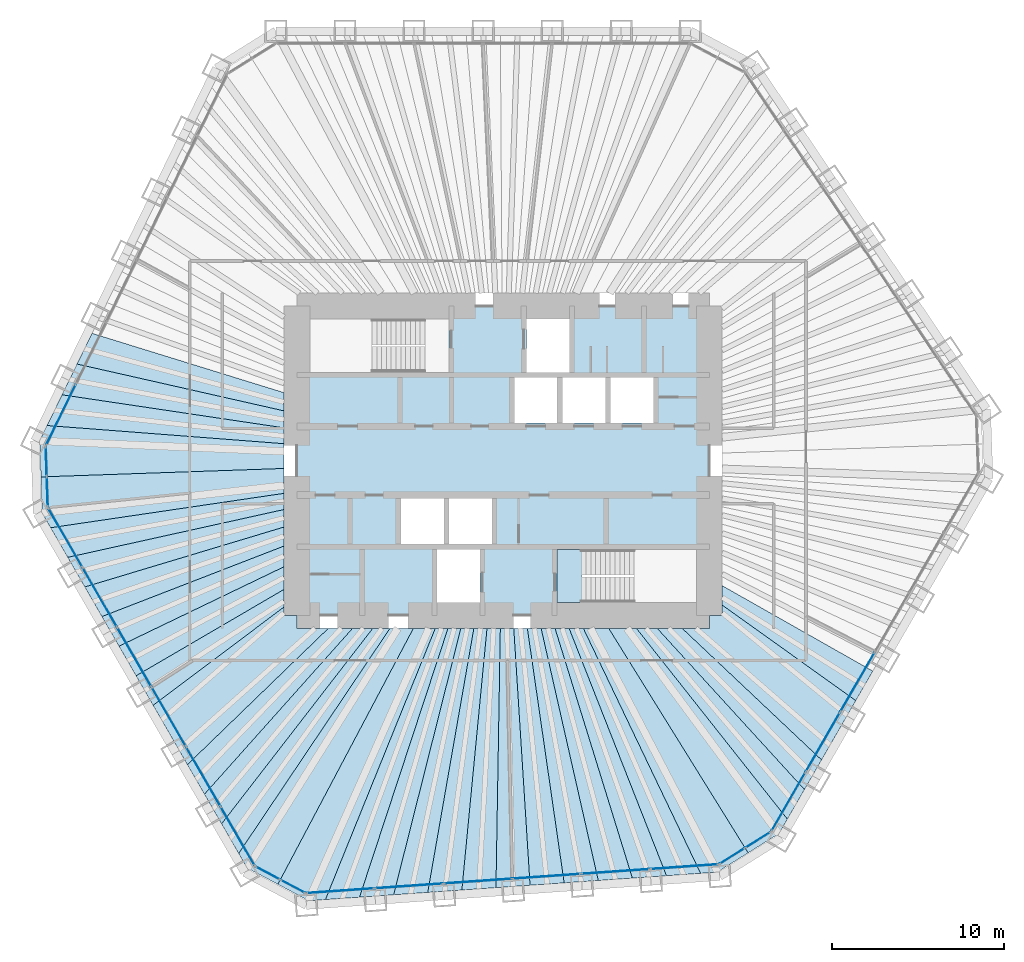
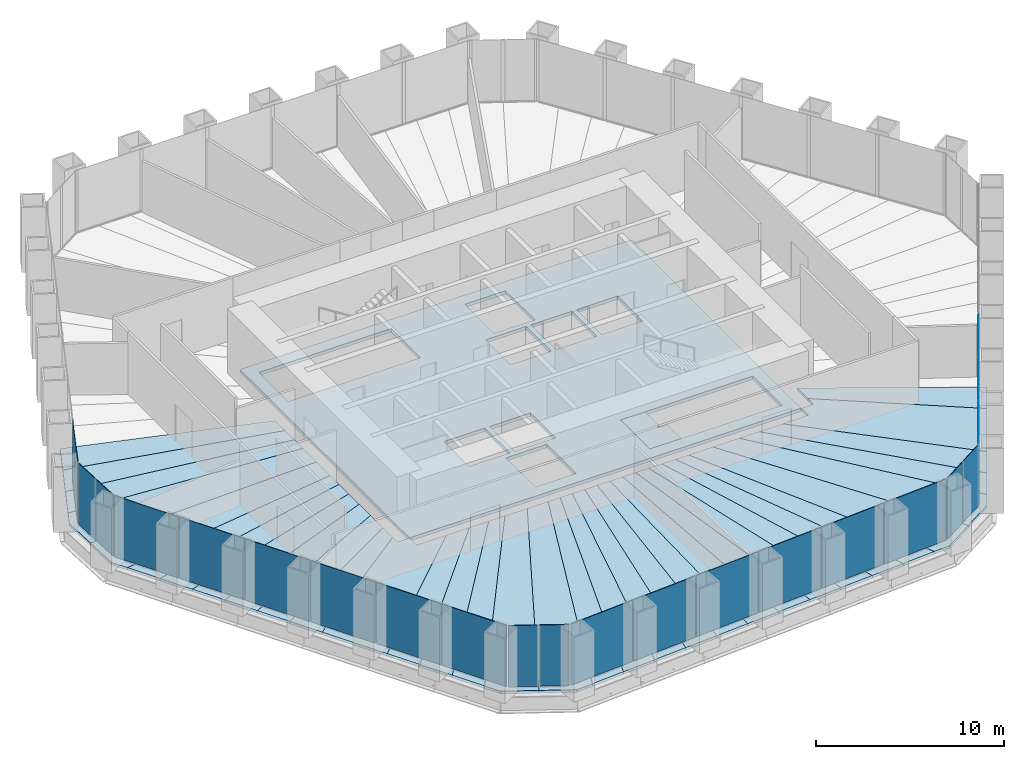
# One storey, part 8 of 13: 36 slabs, 22 plates, 8 elements without a shape of their own.
"""IFC4 building model written with IfcOpenShell, lengths in metres."""

from ifc_helpers import new_model, si_unit, direction, frame, origin, origin_2d, place, context, subcontext, project, spatial, polyline, rectangle, outline, extrude, material, layer, layer_set, type_object, element, aggregate, save


model = new_model("IFC4")

# Units and contexts
model_context = context("Model", 3, precision=1e-05, world=origin(), true_north=direction((0.0, 1.0)))
body_context = subcontext(model_context, "Body", "Model", "MODEL_VIEW")
ifc_project = project(units=[si_unit("LENGTHUNIT", "METRE"), si_unit("AREAUNIT", "SQUARE_METRE"), si_unit("VOLUMEUNIT", "CUBIC_METRE"), si_unit("PLANEANGLEUNIT", "RADIAN"), si_unit("MASSUNIT", "GRAM", prefix="KILO")], contexts=[model_context])

# Site, building, storey
site_placement = place(None, origin())
site = spatial("IfcSite", under=ifc_project, at=site_placement, CompositionType="ELEMENT")
building_placement = place(site_placement, origin())
building = spatial("IfcBuilding", under=site, at=building_placement, Name="Qingtian Harvest Tower", CompositionType="ELEMENT")
storey_placement = place(building_placement, frame((0.0, 0.0, 136.60009765625)))
storey = spatial("IfcBuildingStorey", under=building, at=storey_placement, Name="L28", CompositionType="ELEMENT", Elevation=136.60009765625)

# Slabs
ifc_material_1 = material(Name="Concrete fc' 35 MPa", Category="concrete")
ifc_layer_1 = layer(ifc_material_1, 0.169921875)
ifc_layer_set_1 = layer_set([ifc_layer_1], Name="Composite floor slab FS17 170")
slab_type_1 = type_object("IfcSlabType", Name="Composite floor slab FS17 170", PredefinedType="FLOOR", material=ifc_layer_set_1)
slab_1_placement = place(storey_placement, frame((0.0, 0.0, -0.170166015625)))
element("IfcSlab", 1, at=slab_1_placement, inside=storey, type_object=slab_type_1, Name="Floor slab L28 panel D01", PredefinedType="FLOOR", context=body_context, shape_type="SweptSolid", body=[
    extrude(outline(polyline([(-26.8935546875, -0.939208984375), (-12.75, -0.447998046875), (-12.75, -1.89599609375), (-26.333984375, -3.8984375), (-26.819580078125, -3.056884765625), (-26.8935546875, -0.939208984375)])), origin(), (0.0, 0.0, 1.0), 0.170166015625),
])
slab_2_placement = place(storey_placement, frame((0.0, 0.0, -0.170166015625)))
element("IfcSlab", 2, at=slab_2_placement, inside=storey, type_object=slab_type_1, Name="Floor slab L28 panel D02", PredefinedType="FLOOR", context=body_context, shape_type="SweptSolid", body=[
    extrude(outline(polyline([(-12.75, -2.838134765625), (-25.3388671875, -5.62158203125), (-26.333984375, -3.8984375), (-12.75, -1.89599609375), (-12.75, -2.838134765625)])), origin(), (0.0, 0.0, 1.0), 0.170166015625),
])
slab_3_placement = place(storey_placement, frame((0.0, 0.0, -0.170166015625)))
element("IfcSlab", 3, at=slab_3_placement, inside=storey, type_object=slab_type_1, Name="Floor slab L28 panel D03", PredefinedType="FLOOR", context=body_context, shape_type="SweptSolid", body=[
    extrude(outline(polyline([(-12.75, -3.857666015625), (-24.343994140625, -7.344970703125), (-25.3388671875, -5.62158203125), (-12.75, -2.838134765625), (-12.75, -3.857666015625)])), origin(), (0.0, 0.0, 1.0), 0.170166015625),
])
slab_4_placement = place(storey_placement, frame((0.0, 0.0, -0.170166015625)))
element("IfcSlab", 4, at=slab_4_placement, inside=storey, type_object=slab_type_1, Name="Floor slab L28 panel D04", PredefinedType="FLOOR", context=body_context, shape_type="SweptSolid", body=[
    extrude(outline(polyline([(-12.75, -4.9638671875), (-23.34912109375, -9.068115234375), (-24.343994140625, -7.344970703125), (-12.75, -3.857666015625), (-12.75, -4.9638671875)])), origin(), (0.0, 0.0, 1.0), 0.170166015625),
])
slab_5_placement = place(storey_placement, frame((0.0, 0.0, -0.170166015625)))
element("IfcSlab", 5, at=slab_5_placement, inside=storey, type_object=slab_type_1, Name="Floor slab L28 panel D05", PredefinedType="FLOOR", context=body_context, shape_type="SweptSolid", body=[
    extrude(outline(polyline([(-12.75, -6.1689453125), (-22.354248046875, -10.79150390625), (-23.34912109375, -9.068115234375), (-12.75, -4.9638671875), (-12.75, -6.1689453125)])), origin(), (0.0, 0.0, 1.0), 0.170166015625),
])
slab_6_placement = place(storey_placement, frame((0.0, 0.0, -0.170166015625)))
element("IfcSlab", 6, at=slab_6_placement, inside=storey, type_object=slab_type_1, Name="Floor slab L28 panel D06", PredefinedType="FLOOR", context=body_context, shape_type="SweptSolid", body=[
    extrude(outline(polyline([(-12.75, -7.486328125), (-21.359130859375, -12.5146484375), (-22.354248046875, -10.79150390625), (-12.75, -6.1689453125), (-12.75, -7.486328125)])), origin(), (0.0, 0.0, 1.0), 0.170166015625),
])
slab_7_placement = place(storey_placement, frame((0.0, 0.0, -0.170166015625)))
element("IfcSlab", 7, at=slab_7_placement, inside=storey, type_object=slab_type_1, Name="Floor slab L28 panel D07", PredefinedType="FLOOR", context=body_context, shape_type="SweptSolid", body=[
    extrude(outline(polyline([(-12.75, -8.512451171875), (-20.36865234375, -14.23046875), (-21.359130859375, -12.5146484375), (-12.75, -7.486328125), (-12.75, -8.512451171875)])), origin(), (0.0, 0.0, 1.0), 0.170166015625),
])
slab_8_placement = place(storey_placement, frame((0.0, 0.0, -0.170166015625)))
element("IfcSlab", 8, at=slab_8_placement, inside=storey, type_object=slab_type_1, Name="Floor slab L28 panel D09", PredefinedType="FLOOR", context=body_context, shape_type="SweptSolid", body=[
    extrude(outline(polyline([(-18.375, -17.683837890625), (-20.36865234375, -14.23046875), (-12.75, -8.512451171875), (-12.75, -9.0), (-12.0, -9.0), (-12.0, -9.75), (-10.168212890625, -9.75), (-18.375, -17.683837890625)])), origin(), (0.0, 0.0, 1.0), 0.170166015625),
])
slab_9_placement = place(storey_placement, frame((0.0, 0.0, -0.170166015625)))
element("IfcSlab", 9, at=slab_9_placement, inside=storey, type_object=slab_type_1, Name="Floor slab L28 panel D10", PredefinedType="FLOOR", context=body_context, shape_type="SweptSolid", body=[
    extrude(outline(polyline([(-8.759521484375, -9.75), (-17.3798828125, -19.4072265625), (-18.375, -17.683837890625), (-10.168212890625, -9.75), (-8.759521484375, -9.75)])), origin(), (0.0, 0.0, 1.0), 0.170166015625),
])
slab_10_placement = place(storey_placement, frame((0.0, 0.0, -0.170166015625)))
element("IfcSlab", 10, at=slab_10_placement, inside=storey, type_object=slab_type_1, Name="Floor slab L28 panel D11", PredefinedType="FLOOR", context=body_context, shape_type="SweptSolid", body=[
    extrude(outline(polyline([(-7.58203125, -9.75), (-16.385009765625, -21.13037109375), (-17.3798828125, -19.4072265625), (-8.759521484375, -9.75), (-7.58203125, -9.75)])), origin(), (0.0, 0.0, 1.0), 0.170166015625),
])
slab_11_placement = place(storey_placement, frame((0.0, 0.0, -0.170166015625)))
element("IfcSlab", 11, at=slab_11_placement, inside=storey, type_object=slab_type_1, Name="Floor slab L28 panel D12", PredefinedType="FLOOR", context=body_context, shape_type="SweptSolid", body=[
    extrude(outline(polyline([(-6.5830078125, -9.75), (-15.389892578125, -22.853759765625), (-16.385009765625, -21.13037109375), (-7.58203125, -9.75), (-6.5830078125, -9.75)])), origin(), (0.0, 0.0, 1.0), 0.170166015625),
])
slab_12_placement = place(storey_placement, frame((0.0, 0.0, -0.170166015625)))
element("IfcSlab", 12, at=slab_12_placement, inside=storey, type_object=slab_type_1, Name="Floor slab L28 panel D13", PredefinedType="FLOOR", context=body_context, shape_type="SweptSolid", body=[
    extrude(outline(polyline([(-6.5830078125, -9.75), (-5.21875, -9.75), (-13.107421875, -24.650634765625), (-14.904052734375, -23.6953125), (-15.389892578125, -22.853759765625), (-6.5830078125, -9.75)])), origin(), (0.0, 0.0, 1.0), 0.170166015625),
])
slab_13_placement = place(storey_placement, frame((0.0, 0.0, -0.170166015625)))
element("IfcSlab", 13, at=slab_13_placement, inside=storey, type_object=slab_type_1, Name="Floor slab L28 panel D14", PredefinedType="FLOOR", context=body_context, shape_type="SweptSolid", body=[
    extrude(outline(polyline([(-5.21875, -9.75), (-3.947021484375, -9.75), (-10.3408203125, -25.53857421875), (-11.31005859375, -25.606201171875), (-13.107421875, -24.650634765625), (-5.21875, -9.75)])), origin(), (0.0, 0.0, 1.0), 0.170166015625),
])
slab_14_placement = place(storey_placement, frame((0.0, 0.0, -0.170166015625)))
element("IfcSlab", 14, at=slab_14_placement, inside=storey, type_object=slab_type_1, Name="Floor slab L28 panel D15", PredefinedType="FLOOR", context=body_context, shape_type="SweptSolid", body=[
    extrude(outline(polyline([(-3.20654296875, -9.75), (-8.35595703125, -25.399658203125), (-10.3408203125, -25.53857421875), (-3.947021484375, -9.75), (-3.20654296875, -9.75)])), origin(), (0.0, 0.0, 1.0), 0.170166015625),
])
slab_15_placement = place(storey_placement, frame((0.0, 0.0, -0.170166015625)))
element("IfcSlab", 15, at=slab_15_placement, inside=storey, type_object=slab_type_1, Name="Floor slab L28 panel D16", PredefinedType="FLOOR", context=body_context, shape_type="SweptSolid", body=[
    extrude(outline(polyline([(-2.4580078125, -9.75), (-6.370849609375, -25.260986328125), (-8.35595703125, -25.399658203125), (-3.20654296875, -9.75), (-2.4580078125, -9.75)])), origin(), (0.0, 0.0, 1.0), 0.170166015625),
])
slab_16_placement = place(storey_placement, frame((0.0, 0.0, -0.170166015625)))
element("IfcSlab", 16, at=slab_16_placement, inside=storey, type_object=slab_type_1, Name="Floor slab L28 panel D17", PredefinedType="FLOOR", context=body_context, shape_type="SweptSolid", body=[
    extrude(outline(polyline([(-1.701171875, -9.75), (-4.385986328125, -25.1220703125), (-6.370849609375, -25.260986328125), (-2.4580078125, -9.75), (-1.701171875, -9.75)])), origin(), (0.0, 0.0, 1.0), 0.170166015625),
])
slab_17_placement = place(storey_placement, frame((0.0, 0.0, -0.170166015625)))
element("IfcSlab", 17, at=slab_17_placement, inside=storey, type_object=slab_type_1, Name="Floor slab L28 panel D18", PredefinedType="FLOOR", context=body_context, shape_type="SweptSolid", body=[
    extrude(outline(polyline([(-0.93603515625, -9.75), (-2.40087890625, -24.9833984375), (-4.385986328125, -25.1220703125), (-1.701171875, -9.75), (-0.93603515625, -9.75)])), origin(), (0.0, 0.0, 1.0), 0.170166015625),
])
slab_18_placement = place(storey_placement, frame((0.0, 0.0, -0.170166015625)))
element("IfcSlab", 18, at=slab_18_placement, inside=storey, type_object=slab_type_1, Name="Floor slab L28 panel D19", PredefinedType="FLOOR", context=body_context, shape_type="SweptSolid", body=[
    extrude(outline(polyline([(-0.162109375, -9.75), (-0.416015625, -24.844482421875), (-2.40087890625, -24.9833984375), (-0.93603515625, -9.75), (-0.162109375, -9.75)])), origin(), (0.0, 0.0, 1.0), 0.170166015625),
])
slab_19_placement = place(storey_placement, frame((0.0, 0.0, -0.170166015625)))
element("IfcSlab", 19, at=slab_19_placement, inside=storey, type_object=slab_type_1, Name="Floor slab L28 panel D20", PredefinedType="FLOOR", context=body_context, shape_type="SweptSolid", body=[
    extrude(outline(polyline([(0.620361328125, -9.75), (1.569091796875, -24.705810546875), (-0.416015625, -24.844482421875), (-0.162109375, -9.75), (0.620361328125, -9.75)])), origin(), (0.0, 0.0, 1.0), 0.170166015625),
])
slab_20_placement = place(storey_placement, frame((0.0, 0.0, -0.170166015625)))
element("IfcSlab", 20, at=slab_20_placement, inside=storey, type_object=slab_type_1, Name="Floor slab L28 panel D21", PredefinedType="FLOOR", context=body_context, shape_type="SweptSolid", body=[
    extrude(outline(polyline([(1.41162109375, -9.75), (3.553955078125, -24.56689453125), (1.569091796875, -24.705810546875), (0.620361328125, -9.75), (1.41162109375, -9.75)])), origin(), (0.0, 0.0, 1.0), 0.170166015625),
])
slab_21_placement = place(storey_placement, frame((0.0, 0.0, -0.170166015625)))
element("IfcSlab", 21, at=slab_21_placement, inside=storey, type_object=slab_type_1, Name="Floor slab L28 panel D22", PredefinedType="FLOOR", context=body_context, shape_type="SweptSolid", body=[
    extrude(outline(polyline([(2.2119140625, -9.75), (5.5390625, -24.42822265625), (3.553955078125, -24.56689453125), (1.41162109375, -9.75), (2.2119140625, -9.75)])), origin(), (0.0, 0.0, 1.0), 0.170166015625),
])
slab_22_placement = place(storey_placement, frame((0.0, 0.0, -0.170166015625)))
element("IfcSlab", 22, at=slab_22_placement, inside=storey, type_object=slab_type_1, Name="Floor slab L28 panel D23", PredefinedType="FLOOR", context=body_context, shape_type="SweptSolid", body=[
    extrude(outline(polyline([(3.021484375, -9.75), (7.524169921875, -24.289306640625), (5.5390625, -24.42822265625), (2.2119140625, -9.75), (3.021484375, -9.75)])), origin(), (0.0, 0.0, 1.0), 0.170166015625),
])
slab_23_placement = place(storey_placement, frame((0.0, 0.0, -0.170166015625)))
element("IfcSlab", 23, at=slab_23_placement, inside=storey, type_object=slab_type_1, Name="Floor slab L28 panel D24", PredefinedType="FLOOR", context=body_context, shape_type="SweptSolid", body=[
    extrude(outline(polyline([(3.840087890625, -9.75), (9.509033203125, -24.150390625), (7.524169921875, -24.289306640625), (3.021484375, -9.75), (3.840087890625, -9.75)])), origin(), (0.0, 0.0, 1.0), 0.170166015625),
])
slab_24_placement = place(storey_placement, frame((0.0, 0.0, -0.170166015625)))
element("IfcSlab", 24, at=slab_24_placement, inside=storey, type_object=slab_type_1, Name="Floor slab L28 panel D25", PredefinedType="FLOOR", context=body_context, shape_type="SweptSolid", body=[
    extrude(outline(polyline([(4.66845703125, -9.75), (11.494140625, -24.01171875), (9.509033203125, -24.150390625), (3.840087890625, -9.75), (4.66845703125, -9.75)])), origin(), (0.0, 0.0, 1.0), 0.170166015625),
])
slab_25_placement = place(storey_placement, frame((0.0, 0.0, -0.170166015625)))
element("IfcSlab", 25, at=slab_25_placement, inside=storey, type_object=slab_type_1, Name="Floor slab L28 panel D26", PredefinedType="FLOOR", context=body_context, shape_type="SweptSolid", body=[
    extrude(outline(polyline([(4.66845703125, -9.75), (6.14404296875, -9.75), (14.2607421875, -22.820556640625), (12.463134765625, -23.94384765625), (11.494140625, -24.01171875), (4.66845703125, -9.75)])), origin(), (0.0, 0.0, 1.0), 0.170166015625),
])
slab_26_placement = place(storey_placement, frame((0.0, 0.0, -0.170166015625)))
element("IfcSlab", 26, at=slab_26_placement, inside=storey, type_object=slab_type_1, Name="Floor slab L28 panel D27", PredefinedType="FLOOR", context=body_context, shape_type="SweptSolid", body=[
    extrude(outline(polyline([(6.14404296875, -9.75), (7.756103515625, -9.75), (16.543212890625, -20.8564453125), (16.05712890625, -21.697998046875), (14.2607421875, -22.820556640625), (6.14404296875, -9.75)])), origin(), (0.0, 0.0, 1.0), 0.170166015625),
])
slab_27_placement = place(storey_placement, frame((0.0, 0.0, -0.170166015625)))
element("IfcSlab", 27, at=slab_27_placement, inside=storey, type_object=slab_type_1, Name="Floor slab L28 panel D28", PredefinedType="FLOOR", context=body_context, shape_type="SweptSolid", body=[
    extrude(outline(polyline([(8.966552734375, -9.75), (17.5380859375, -19.133056640625), (16.543212890625, -20.8564453125), (7.756103515625, -9.75), (8.966552734375, -9.75)])), origin(), (0.0, 0.0, 1.0), 0.170166015625),
])
slab_28_placement = place(storey_placement, frame((0.0, 0.0, -0.170166015625)))
element("IfcSlab", 28, at=slab_28_placement, inside=storey, type_object=slab_type_1, Name="Floor slab L28 panel D29", PredefinedType="FLOOR", context=body_context, shape_type="SweptSolid", body=[
    extrude(outline(polyline([(10.41796875, -9.75), (18.532958984375, -17.40966796875), (17.5380859375, -19.133056640625), (8.966552734375, -9.75), (10.41796875, -9.75)])), origin(), (0.0, 0.0, 1.0), 0.170166015625),
])
slab_29_placement = place(storey_placement, frame((0.0, 0.0, -0.170166015625)))
element("IfcSlab", 29, at=slab_29_placement, inside=storey, type_object=slab_type_1, Name="Floor slab L28 panel D31", PredefinedType="FLOOR", context=body_context, shape_type="SweptSolid", body=[
    extrude(outline(polyline([(12.75, -8.398681640625), (20.525390625, -13.958740234375), (18.532958984375, -17.40966796875), (10.41796875, -9.75), (12.0, -9.75), (12.0, -9.0), (12.75, -9.0), (12.75, -8.398681640625)])), origin(), (0.0, 0.0, 1.0), 0.170166015625),
])
slab_30_placement = place(storey_placement, frame((0.0, 0.0, -0.170166015625)))
element("IfcSlab", 30, at=slab_30_placement, inside=storey, type_object=slab_type_1, Name="Floor slab L28 panel D32", PredefinedType="FLOOR", context=body_context, shape_type="SweptSolid", body=[
    extrude(outline(polyline([(12.75, -7.268798828125), (21.517333984375, -12.24072265625), (20.525390625, -13.958740234375), (12.75, -8.398681640625), (12.75, -7.268798828125)])), origin(), (0.0, 0.0, 1.0), 0.170166015625),
])
slab_31_placement = place(storey_placement, frame((0.0, 0.0, -0.170166015625)))
element("IfcSlab", 31, at=slab_31_placement, inside=storey, type_object=slab_type_1, Name="Floor slab L28 panel D75", PredefinedType="FLOOR", context=body_context, shape_type="SweptSolid", body=[
    extrude(outline(polyline([(-12.75, 2.903076171875), (-24.797119140625, 5.62890625), (-23.9248046875, 7.417236328125), (-12.75, 3.962646484375), (-12.75, 2.903076171875)])), origin(), (0.0, 0.0, 1.0), 0.170166015625),
])
slab_32_placement = place(storey_placement, frame((0.0, 0.0, -0.170166015625)))
element("IfcSlab", 32, at=slab_32_placement, inside=storey, type_object=slab_type_1, Name="Floor slab L28 panel D76", PredefinedType="FLOOR", context=body_context, shape_type="SweptSolid", body=[
    extrude(outline(polyline([(-12.75, 1.91552734375), (-25.66943359375, 3.84033203125), (-24.797119140625, 5.62890625), (-12.75, 2.903076171875), (-12.75, 1.91552734375)])), origin(), (0.0, 0.0, 1.0), 0.170166015625),
])
slab_33_placement = place(storey_placement, frame((0.0, 0.0, -0.170166015625)))
element("IfcSlab", 33, at=slab_33_placement, inside=storey, type_object=slab_type_1, Name="Floor slab L28 panel D77", PredefinedType="FLOOR", context=body_context, shape_type="SweptSolid", body=[
    extrude(outline(polyline([(-12.75, 0.992919921875), (-26.541748046875, 2.0517578125), (-25.66943359375, 3.84033203125), (-12.75, 1.91552734375), (-12.75, 0.992919921875)])), origin(), (0.0, 0.0, 1.0), 0.170166015625),
])
slab_34_placement = place(storey_placement, frame((0.0, 0.0, -0.170166015625)))
element("IfcSlab", 34, at=slab_34_placement, inside=storey, type_object=slab_type_1, Name="Floor slab L28 panel D78", PredefinedType="FLOOR", context=body_context, shape_type="SweptSolid", body=[
    extrude(outline(polyline([(-12.75, 0.992919921875), (-12.75, -0.447998046875), (-26.8935546875, -0.939208984375), (-26.967529296875, 1.1787109375), (-26.541748046875, 2.0517578125), (-12.75, 0.992919921875)])), origin(), (0.0, 0.0, 1.0), 0.170166015625),
])
ifc_material_2 = material(Name="Concrete fc' 35 MPa", Category="concrete")
ifc_layer_2 = layer(ifc_material_2, 0.219970703125)
ifc_layer_set_2 = layer_set([ifc_layer_2], Name="Core floor slab CS22 220")
slab_type_2 = type_object("IfcSlabType", Name="Core floor slab CS22 220", PredefinedType="FLOOR", material=ifc_layer_set_2)
slab_35_placement = place(storey_placement, frame((0.0, 0.0, -0.22021484375)))
element("IfcSlab", 35, at=slab_35_placement, inside=storey, type_object=slab_type_2, Name="Core floor slab L28", PredefinedType="FLOOR", context=body_context, shape_type="SweptSolid", body=[
    extrude(outline(polyline([(-12.0, -9.0), (12.0, -9.0), (12.0, 9.0), (-12.0, 9.0), (-12.0, -9.0)]), holes=[polyline([(-11.25, 5.14990234375), (-3.14990234375, 5.14990234375), (-3.14990234375, 8.25), (-11.25, 8.25), (-11.25, 5.14990234375)]), polyline([(3.14990234375, -8.25), (11.25, -8.25), (11.25, -5.14990234375), (3.14990234375, -5.14990234375), (3.14990234375, -8.25)]), polyline([(1.35009765625, 5.14990234375), (3.85009765625, 5.14990234375), (3.85009765625, 8.25), (1.35009765625, 8.25), (1.35009765625, 5.14990234375)]), polyline([(-3.85009765625, -8.25), (-1.35009765625, -8.25), (-1.35009765625, -5.14990234375), (-3.85009765625, -5.14990234375), (-3.85009765625, -8.25)]), polyline([(0.64990234375, 2.199951171875), (3.14990234375, 2.199951171875), (3.14990234375, 4.85009765625), (0.64990234375, 4.85009765625), (0.64990234375, 2.199951171875)]), polyline([(3.449951171875, 2.199951171875), (5.949951171875, 2.199951171875), (5.949951171875, 4.85009765625), (3.449951171875, 4.85009765625), (3.449951171875, 2.199951171875)]), polyline([(6.25, 2.199951171875), (8.75, 2.199951171875), (8.75, 4.85009765625), (6.25, 4.85009765625), (6.25, 2.199951171875)]), polyline([(-5.949951171875, -4.85009765625), (-3.449951171875, -4.85009765625), (-3.449951171875, -2.199951171875), (-5.949951171875, -2.199951171875), (-5.949951171875, -4.85009765625)]), polyline([(-3.14990234375, -4.85009765625), (-0.64990234375, -4.85009765625), (-0.64990234375, -2.199951171875), (-3.14990234375, -2.199951171875), (-3.14990234375, -4.85009765625)])]), origin(), (0.0, 0.0, 1.0), 0.22021484375),
])

# Curtain wall, plates
ifc_material_3 = material(Name="Bronze-anodised aluminium curtain wall", Category="aluminium")
curtain_wall_type = type_object("IfcCurtainWallType", Name="Curtain wall CW4 office", PredefinedType="USERDEFINED", material=ifc_material_3)
curtain_wall_1_placement = place(storey_placement, origin())
curtain_wall_1 = element("IfcCurtainWall", 36, at=curtain_wall_1_placement, inside=storey, type_object=curtain_wall_type, Name="Curtain wall CW4 L28 SE0-5", ObjectType="RECESSED CURTAIN WALL", PredefinedType="USERDEFINED")
ifc_material_4 = material(Name="Bronze-tinted laminated insulating glass", Category="glass")
ifc_layer_3 = layer(ifc_material_4, 0.030029296875)
ifc_layer_set_3 = layer_set([ifc_layer_3], Name="Glazed panel CWP tinted IGU")
plate_type = type_object("IfcPlateType", Name="Glazed panel CWP tinted IGU", PredefinedType="CURTAIN_PANEL", material=ifc_layer_set_3)
plate_1_placement = place(storey_placement, frame((20.621826171875, -12.8818359375, 0.06494140625), z_axis=(0.0, 0.0, 1.0), x_axis=(-0.5, -0.866025403784, 0.0)))
plate_1 = element("IfcPlate", 37, at=plate_1_placement, type_object=plate_type, Name="CW4 panel 4.1", PredefinedType="CURTAIN_PANEL", context=body_context, shape_type="SweptSolid", body=[
    extrude(rectangle(XDim=3.9541015625, YDim=0.030029296875, at=origin_2d()), origin(), (0.0, 0.0, 1.0), 3.965087890625),
])
plate_2_placement = place(storey_placement, frame((18.6123046875, -16.362548828125, 0.06494140625), z_axis=(0.0, 0.0, 1.0), x_axis=(-0.5, -0.866025403784, 0.0)))
plate_2 = element("IfcPlate", 38, at=plate_2_placement, type_object=plate_type, Name="CW4 panel 5.1", PredefinedType="CURTAIN_PANEL", context=body_context, shape_type="SweptSolid", body=[
    extrude(rectangle(XDim=3.9541015625, YDim=0.030029296875, at=origin_2d()), origin(), (0.0, 0.0, 1.0), 3.965087890625),
])
plate_3_placement = place(storey_placement, frame((16.61083984375, -19.8291015625, 0.06494140625), z_axis=(0.0, 0.0, 1.0), x_axis=(-0.5, -0.866025403784, 0.0)))
plate_3 = element("IfcPlate", 39, at=plate_3_placement, type_object=plate_type, Name="CW4 panel 6.1", PredefinedType="CURTAIN_PANEL", context=body_context, shape_type="SweptSolid", body=[
    extrude(rectangle(XDim=3.921630859375, YDim=0.030029296875, at=origin_2d()), origin(), (0.0, 0.0, 1.0), 3.965087890625),
])
aggregate(curtain_wall_1, [plate_1, plate_2, plate_3])

curtain_wall_2_placement = place(storey_placement, origin())
curtain_wall_2 = element("IfcCurtainWall", 40, at=curtain_wall_2_placement, inside=storey, type_object=curtain_wall_type, Name="Curtain wall CW4 L28 SEC", ObjectType="RECESSED CURTAIN WALL", PredefinedType="USERDEFINED")
plate_4_placement = place(storey_placement, frame((14.8251953125, -22.06640625, 0.06494140625), z_axis=(0.0, 0.0, 1.0), x_axis=(-0.848048096156, -0.529919264233, 0.0)))
plate_4 = element("IfcPlate", 41, at=plate_4_placement, type_object=plate_type, Name="CW4 panel 1.1", PredefinedType="CURTAIN_PANEL", context=body_context, shape_type="SweptSolid", body=[
    extrude(rectangle(XDim=1.69287109375, YDim=0.030029296875, at=origin_2d()), origin(), (0.0, 0.0, 1.0), 3.965087890625),
])
plate_5_placement = place(storey_placement, frame((13.334228515625, -22.998046875, 0.06494140625), z_axis=(0.0, 0.0, 1.0), x_axis=(-0.848048096156, -0.529919264233, 0.0)))
plate_5 = element("IfcPlate", 42, at=plate_5_placement, type_object=plate_type, Name="CW4 panel 2.1", PredefinedType="CURTAIN_PANEL", context=body_context, shape_type="SweptSolid", body=[
    extrude(rectangle(XDim=1.69287109375, YDim=0.030029296875, at=origin_2d()), origin(), (0.0, 0.0, 1.0), 3.965087890625),
])
aggregate(curtain_wall_2, [plate_4, plate_5])

curtain_wall_3_placement = place(storey_placement, origin())
curtain_wall_3 = element("IfcCurtainWall", 43, at=curtain_wall_3_placement, inside=storey, type_object=curtain_wall_type, Name="Curtain wall CW4 L28 S0-5", ObjectType="RECESSED CURTAIN WALL", PredefinedType="USERDEFINED")
plate_6_placement = place(storey_placement, frame((10.54052734375, -23.622314453125, 0.06494140625), z_axis=(0.0, 0.0, 1.0), x_axis=(-0.99756405026, -0.069756473744, 0.0)))
plate_6 = element("IfcPlate", 44, at=plate_6_placement, type_object=plate_type, Name="CW4 panel 1.1", PredefinedType="CURTAIN_PANEL", context=body_context, shape_type="SweptSolid", body=[
    extrude(rectangle(XDim=3.921630859375, YDim=0.030029296875, at=origin_2d()), origin(), (0.0, 0.0, 1.0), 3.965087890625),
])
plate_7_placement = place(storey_placement, frame((6.54736328125, -23.901611328125, 0.06494140625), z_axis=(0.0, 0.0, 1.0), x_axis=(-0.99756405026, -0.069756473744, 0.0)))
plate_7 = element("IfcPlate", 45, at=plate_7_placement, type_object=plate_type, Name="CW4 panel 2.1", PredefinedType="CURTAIN_PANEL", context=body_context, shape_type="SweptSolid", body=[
    extrude(rectangle(XDim=3.9541015625, YDim=0.030029296875, at=origin_2d()), origin(), (0.0, 0.0, 1.0), 3.965087890625),
])
plate_8_placement = place(storey_placement, frame((2.5380859375, -24.181884765625, 0.06494140625), z_axis=(0.0, 0.0, 1.0), x_axis=(-0.99756405026, -0.069756473744, 0.0)))
plate_8 = element("IfcPlate", 46, at=plate_8_placement, type_object=plate_type, Name="CW4 panel 3.1", PredefinedType="CURTAIN_PANEL", context=body_context, shape_type="SweptSolid", body=[
    extrude(rectangle(XDim=3.9541015625, YDim=0.030029296875, at=origin_2d()), origin(), (0.0, 0.0, 1.0), 3.965087890625),
])
plate_9_placement = place(storey_placement, frame((-1.47119140625, -24.462158203125, 0.06494140625), z_axis=(0.0, 0.0, 1.0), x_axis=(-0.99756405026, -0.069756473744, 0.0)))
plate_9 = element("IfcPlate", 47, at=plate_9_placement, type_object=plate_type, Name="CW4 panel 4.1", PredefinedType="CURTAIN_PANEL", context=body_context, shape_type="SweptSolid", body=[
    extrude(rectangle(XDim=3.9541015625, YDim=0.030029296875, at=origin_2d()), origin(), (0.0, 0.0, 1.0), 3.965087890625),
])
plate_10_placement = place(storey_placement, frame((-5.48046875, -24.74267578125, 0.06494140625), z_axis=(0.0, 0.0, 1.0), x_axis=(-0.99756405026, -0.069756473744, 0.0)))
plate_10 = element("IfcPlate", 48, at=plate_10_placement, type_object=plate_type, Name="CW4 panel 5.1", PredefinedType="CURTAIN_PANEL", context=body_context, shape_type="SweptSolid", body=[
    extrude(rectangle(XDim=3.9541015625, YDim=0.030029296875, at=origin_2d()), origin(), (0.0, 0.0, 1.0), 3.965087890625),
])
plate_11_placement = place(storey_placement, frame((-9.4736328125, -25.021728515625, 0.06494140625), z_axis=(0.0, 0.0, 1.0), x_axis=(-0.99756405026, -0.069756473744, 0.0)))
plate_11 = element("IfcPlate", 49, at=plate_11_placement, type_object=plate_type, Name="CW4 panel 6.1", PredefinedType="CURTAIN_PANEL", context=body_context, shape_type="SweptSolid", body=[
    extrude(rectangle(XDim=3.921630859375, YDim=0.030029296875, at=origin_2d()), origin(), (0.0, 0.0, 1.0), 3.965087890625),
])
aggregate(curtain_wall_3, [plate_6, plate_7, plate_8, plate_9, plate_10, plate_11])

curtain_wall_4_placement = place(storey_placement, origin())
curtain_wall_4 = element("IfcCurtainWall", 50, at=curtain_wall_4_placement, inside=storey, type_object=curtain_wall_type, Name="Curtain wall CW4 L28 SC", ObjectType="RECESSED CURTAIN WALL", PredefinedType="USERDEFINED")
plate_12_placement = place(storey_placement, frame((-12.24365234375, -24.764892578125, 0.06494140625), z_axis=(0.0, 0.0, 1.0), x_axis=(-0.882947592859, 0.469471562786, 0.0)))
plate_12 = element("IfcPlate", 51, at=plate_12_placement, type_object=plate_type, Name="CW4 panel 1.1", PredefinedType="CURTAIN_PANEL", context=body_context, shape_type="SweptSolid", body=[
    extrude(rectangle(XDim=1.56689453125, YDim=0.030029296875, at=origin_2d()), origin(), (0.0, 0.0, 1.0), 3.965087890625),
])
plate_13_placement = place(storey_placement, frame((-13.684326171875, -23.998779296875, 0.06494140625), z_axis=(0.0, 0.0, 1.0), x_axis=(-0.882947592859, 0.469471562786, 0.0)))
plate_13 = element("IfcPlate", 52, at=plate_13_placement, type_object=plate_type, Name="CW4 panel 2.1", PredefinedType="CURTAIN_PANEL", context=body_context, shape_type="SweptSolid", body=[
    extrude(rectangle(XDim=1.56689453125, YDim=0.030029296875, at=origin_2d()), origin(), (0.0, 0.0, 1.0), 3.965087890625),
])
aggregate(curtain_wall_4, [plate_12, plate_13])

curtain_wall_5_placement = place(storey_placement, origin())
curtain_wall_5 = element("IfcCurtainWall", 53, at=curtain_wall_5_placement, inside=storey, type_object=curtain_wall_type, Name="Curtain wall CW4 L28 SW0-5", ObjectType="RECESSED CURTAIN WALL", PredefinedType="USERDEFINED")
plate_14_placement = place(storey_placement, frame((-15.446533203125, -21.845947265625, 0.06494140625), z_axis=(0.0, 0.0, 1.0), x_axis=(-0.5, 0.866025403784, 0.0)))
plate_14 = element("IfcPlate", 54, at=plate_14_placement, type_object=plate_type, Name="CW4 panel 1.1", PredefinedType="CURTAIN_PANEL", context=body_context, shape_type="SweptSolid", body=[
    extrude(rectangle(XDim=3.921630859375, YDim=0.030029296875, at=origin_2d()), origin(), (0.0, 0.0, 1.0), 3.965087890625),
])
plate_15_placement = place(storey_placement, frame((-17.44775390625, -18.37939453125, 0.06494140625), z_axis=(0.0, 0.0, 1.0), x_axis=(-0.5, 0.866025403784, 0.0)))
plate_15 = element("IfcPlate", 55, at=plate_15_placement, type_object=plate_type, Name="CW4 panel 2.1", PredefinedType="CURTAIN_PANEL", context=body_context, shape_type="SweptSolid", body=[
    extrude(rectangle(XDim=3.9541015625, YDim=0.030029296875, at=origin_2d()), origin(), (0.0, 0.0, 1.0), 3.965087890625),
])
plate_16_placement = place(storey_placement, frame((-19.45751953125, -14.898681640625, 0.06494140625), z_axis=(0.0, 0.0, 1.0), x_axis=(-0.5, 0.866025403784, 0.0)))
plate_16 = element("IfcPlate", 56, at=plate_16_placement, type_object=plate_type, Name="CW4 panel 3.1", PredefinedType="CURTAIN_PANEL", context=body_context, shape_type="SweptSolid", body=[
    extrude(rectangle(XDim=3.9541015625, YDim=0.030029296875, at=origin_2d()), origin(), (0.0, 0.0, 1.0), 3.965087890625),
])
plate_17_placement = place(storey_placement, frame((-21.467041015625, -11.418212890625, 0.06494140625), z_axis=(0.0, 0.0, 1.0), x_axis=(-0.5, 0.866025403784, 0.0)))
plate_17 = element("IfcPlate", 57, at=plate_17_placement, type_object=plate_type, Name="CW4 panel 4.1", PredefinedType="CURTAIN_PANEL", context=body_context, shape_type="SweptSolid", body=[
    extrude(rectangle(XDim=3.9541015625, YDim=0.030029296875, at=origin_2d()), origin(), (0.0, 0.0, 1.0), 3.965087890625),
])
plate_18_placement = place(storey_placement, frame((-23.4765625, -7.9375, 0.06494140625), z_axis=(0.0, 0.0, 1.0), x_axis=(-0.5, 0.866025403784, 0.0)))
plate_18 = element("IfcPlate", 58, at=plate_18_placement, type_object=plate_type, Name="CW4 panel 5.1", PredefinedType="CURTAIN_PANEL", context=body_context, shape_type="SweptSolid", body=[
    extrude(rectangle(XDim=3.9541015625, YDim=0.030029296875, at=origin_2d()), origin(), (0.0, 0.0, 1.0), 3.965087890625),
])
plate_19_placement = place(storey_placement, frame((-25.477783203125, -4.470947265625, 0.06494140625), z_axis=(0.0, 0.0, 1.0), x_axis=(-0.5, 0.866025403784, 0.0)))
plate_19 = element("IfcPlate", 59, at=plate_19_placement, type_object=plate_type, Name="CW4 panel 6.1", PredefinedType="CURTAIN_PANEL", context=body_context, shape_type="SweptSolid", body=[
    extrude(rectangle(XDim=3.921630859375, YDim=0.030029296875, at=origin_2d()), origin(), (0.0, 0.0, 1.0), 3.965087890625),
])
aggregate(curtain_wall_5, [plate_14, plate_15, plate_16, plate_17, plate_18, plate_19])

curtain_wall_6_placement = place(storey_placement, origin())
curtain_wall_6 = element("IfcCurtainWall", 60, at=curtain_wall_6_placement, inside=storey, type_object=curtain_wall_type, Name="Curtain wall CW4 L28 SWC", ObjectType="RECESSED CURTAIN WALL", PredefinedType="USERDEFINED")
plate_20_placement = place(storey_placement, frame((-26.522705078125, -1.8056640625, 0.06494140625), z_axis=(0.0, 0.0, 1.0), x_axis=(-0.034899496703, 0.999390827019, 0.0)))
plate_20 = element("IfcPlate", 61, at=plate_20_placement, type_object=plate_type, Name="CW4 panel 1.1", PredefinedType="CURTAIN_PANEL", context=body_context, shape_type="SweptSolid", body=[
    extrude(rectangle(XDim=1.69287109375, YDim=0.030029296875, at=origin_2d()), origin(), (0.0, 0.0, 1.0), 3.965087890625),
])
plate_21_placement = place(storey_placement, frame((-26.583984375, -0.048828125, 0.06494140625), z_axis=(0.0, 0.0, 1.0), x_axis=(-0.034899496703, 0.999390827019, 0.0)))
plate_21 = element("IfcPlate", 62, at=plate_21_placement, type_object=plate_type, Name="CW4 panel 2.1", PredefinedType="CURTAIN_PANEL", context=body_context, shape_type="SweptSolid", body=[
    extrude(rectangle(XDim=1.69287109375, YDim=0.030029296875, at=origin_2d()), origin(), (0.0, 0.0, 1.0), 3.965087890625),
])
aggregate(curtain_wall_6, [plate_20, plate_21])

# Curtain wall, plate
curtain_wall_7_placement = place(storey_placement, origin())
curtain_wall_7 = element("IfcCurtainWall", 63, at=curtain_wall_7_placement, inside=storey, type_object=curtain_wall_type, Name="Curtain wall CW4 L28 NW0-5", ObjectType="RECESSED CURTAIN WALL", PredefinedType="USERDEFINED")
plate_22_placement = place(storey_placement, frame((-25.727783203125, 2.682861328125, 0.06494140625), z_axis=(0.0, 0.0, 1.0), x_axis=(0.438371146789, 0.898794046299, 0.0)))
plate_22 = element("IfcPlate", 64, at=plate_22_placement, type_object=plate_type, Name="CW4 panel 1.1", PredefinedType="CURTAIN_PANEL", context=body_context, shape_type="SweptSolid", body=[
    extrude(rectangle(XDim=3.921630859375, YDim=0.030029296875, at=origin_2d()), origin(), (0.0, 0.0, 1.0), 3.965087890625),
])
aggregate(curtain_wall_7, [plate_22])

# Stair, slab
ifc_material_5 = material(Name="Concrete fc' 35 MPa", Category="concrete")
stair_type = type_object("IfcStairType", Name="Special stair ST3 4200", PredefinedType="HALF_TURN_STAIR", material=ifc_material_5)
stair_placement = place(storey_placement, origin())
stair = element("IfcStair", 65, at=stair_placement, inside=storey, type_object=stair_type, Name="Special stair S2 L28", PredefinedType="HALF_TURN_STAIR")
ifc_material_6 = material(Name="Concrete fc' 35 MPa", Category="concrete")
ifc_layer_4 = layer(ifc_material_6, 0.199951171875)
ifc_layer_set_4 = layer_set([ifc_layer_4], Name="Stair landing SL2 200")
slab_type_3 = type_object("IfcSlabType", Name="Stair landing SL2 200", PredefinedType="LANDING", material=ifc_layer_set_4)
slab_36_placement = place(storey_placement, frame((0.0, 0.0, -0.2001953125)))
slab_36 = element("IfcSlab", 66, at=slab_36_placement, type_object=slab_type_3, Name="S2 landing 1", PredefinedType="LANDING", context=body_context, shape_type="SweptSolid", body=[
    extrude(outline(polyline([(5.0849609375, -8.25), (3.14990234375, -8.25), (3.14990234375, -5.14990234375), (4.64990234375, -5.14990234375), (4.64990234375, -6.64990234375), (4.550048828125, -6.64990234375), (4.550048828125, -6.75), (5.0849609375, -6.75), (5.0849609375, -8.25)])), origin(), (0.0, 0.0, 1.0), 0.2001953125),
])
aggregate(stair, [slab_36])

save(model, "model.ifc")
